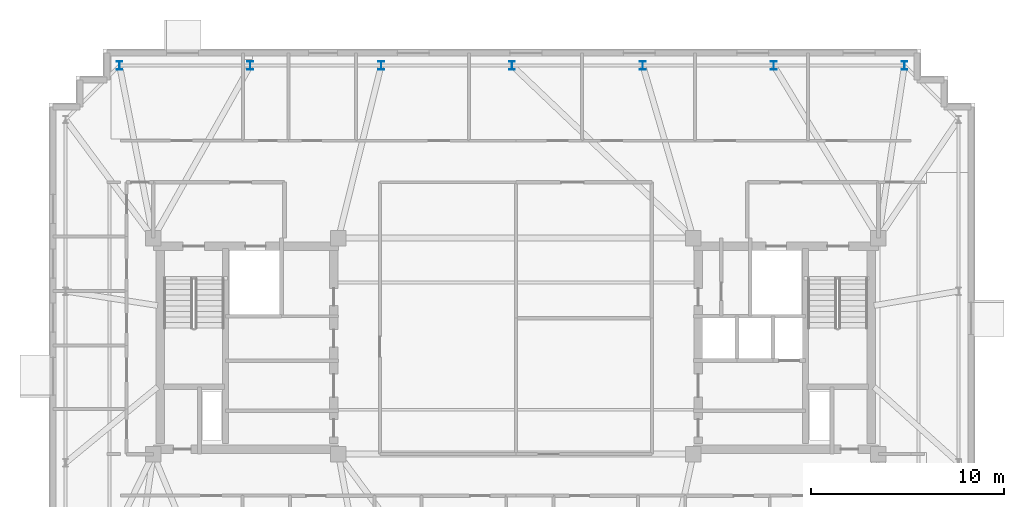
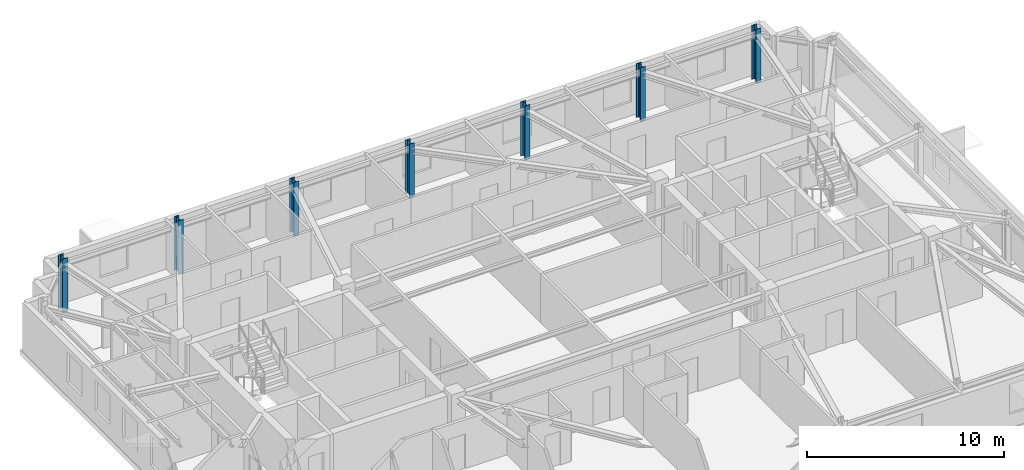
# One storey, part 3 of 12: 7 columns.
"""IFC4 building model written with IfcOpenShell, lengths in metres."""

from ifc_helpers import new_model, si_unit, direction, frame, origin, origin_2d, place, context, subcontext, project, spatial, i_section, extrude, material, material_profile, profile_set, type_object, element, save


model = new_model("IFC4")

# Units and contexts
model_context = context("Model", 3, precision=1e-05, world=origin(), true_north=direction((0.0, 1.0)))
body_context = subcontext(model_context, "Body", "Model", "MODEL_VIEW")
ifc_project = project(units=[si_unit("LENGTHUNIT", "METRE"), si_unit("AREAUNIT", "SQUARE_METRE"), si_unit("VOLUMEUNIT", "CUBIC_METRE"), si_unit("PLANEANGLEUNIT", "RADIAN"), si_unit("MASSUNIT", "GRAM", prefix="KILO")], contexts=[model_context])

# Site, building, storey
site_placement = place(None, origin())
site = spatial("IfcSite", under=ifc_project, at=site_placement, CompositionType="ELEMENT")
building_placement = place(site_placement, origin())
building = spatial("IfcBuilding", under=site, at=building_placement, Name="Qobustan Lattice House", CompositionType="ELEMENT")
storey_placement = place(building_placement, frame((0.0, 0.0, 241.699951171875)))
storey = spatial("IfcBuildingStorey", under=building, at=storey_placement, Name="L68", CompositionType="ELEMENT", Elevation=241.699951171875)

# Columns
ifc_material = material(Name="Steel S355", Category="steel")
ifc_material_profile = material_profile(ifc_material, i_section(OverallWidth=0.300048828125, OverallDepth=0.449951171875, WebThickness=0.013916015625, FlangeThickness=0.02587890625, FilletRadius=0.027099609375, at=origin_2d()), Name="HEB450")
ifc_profile_set = profile_set([ifc_material_profile], Name="Steel S355")
column_type = type_object("IfcColumnType", Name="COL-ST-HEB450", PredefinedType="COLUMN", material=ifc_profile_set)
for number, where, z_axis, x_axis, name in (
    (1, (20.14990234375, 14.550048828125, 0.0), (0.0, 0.0, 1.0), (1.0, 0.0, 0.0), "L68 B5 perimeter column N1"),
    (2, (13.36669921875, 14.550048828125, 0.0), (0.0, 0.0, 1.0), (1.0, 0.0, 0.0), "L68 B5 perimeter column N2"),
    (3, (6.583251953125, 14.550048828125, 0.0), (0.0, 0.0, 1.0), (1.0, 0.0, 0.0), "L68 B5 perimeter column N3"),
    (4, (-0.199951171875, 14.550048828125, 0.0), (0.0, 0.0, 1.0), (1.0, 0.0, 0.0), "L68 B5 perimeter column N4"),
    (5, (-6.9833984375, 14.550048828125, 0.0), (0.0, 0.0, 1.0), (1.0, 0.0, 0.0), "L68 B5 perimeter column N5"),
    (6, (-13.7666015625, 14.550048828125, 0.0), (0.0, 0.0, 1.0), (1.0, 0.0, 0.0), "L68 B5 perimeter column N6"),
    (7, (-20.550048828125, 14.550048828125, 0.0), (0.0, 0.0, 1.0), (1.0, 0.0, 0.0), "L68 B5 perimeter column N7"),
):
    element("IfcColumn", number, at=place(storey_placement, frame(where, z_axis=z_axis, x_axis=x_axis)), inside=storey, type_object=column_type, Name=name, PredefinedType="COLUMN", context=body_context, shape_type="SweptSolid", body=[
        extrude(i_section(OverallWidth=0.300048828125, OverallDepth=0.449951171875, WebThickness=0.013916015625, FlangeThickness=0.02587890625, FilletRadius=0.027099609375, at=origin_2d()), origin(), (0.0, 0.0, 1.0), 3.35009765625),
    ])

save(model, "model.ifc")
